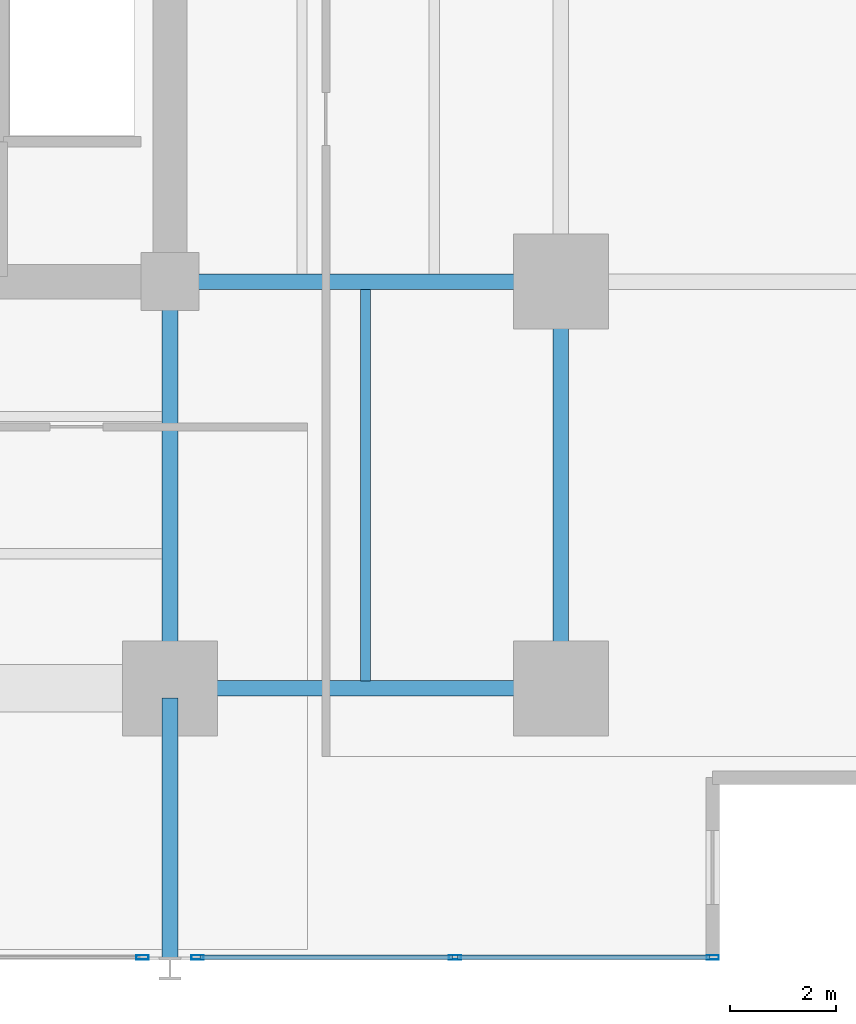
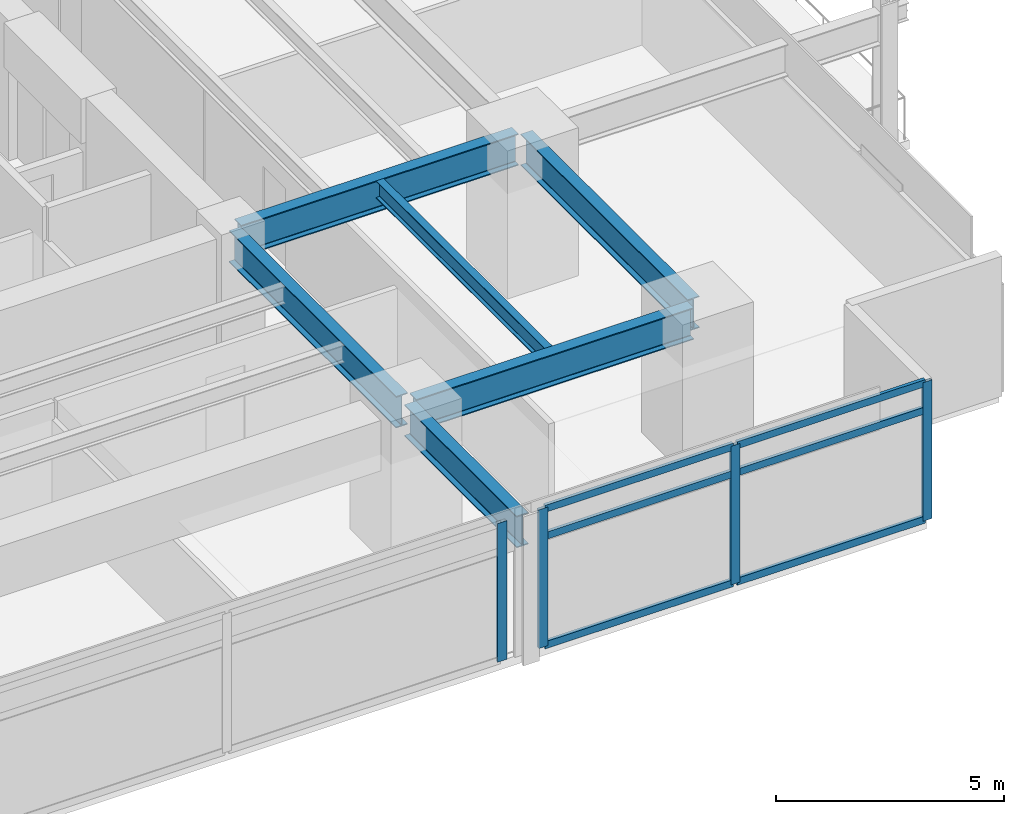
# One storey, part 5 of 20: 10 members, 6 beams, 2 elements without a shape of their own.
"""IFC4 building model written with IfcOpenShell, lengths in metres."""

from ifc_helpers import new_model, si_unit, direction, frame, origin, origin_2d, place, context, subcontext, project, spatial, hollow_rectangle, i_section, extrude, material, material_profile, profile_set, type_object, element, aggregate, save


model = new_model("IFC4")

# Units and contexts
model_context = context("Model", 3, precision=1e-05, world=origin(), true_north=direction((0.0, 1.0)))
body_context = subcontext(model_context, "Body", "Model", "MODEL_VIEW")
ifc_project = project(units=[si_unit("LENGTHUNIT", "METRE"), si_unit("AREAUNIT", "SQUARE_METRE"), si_unit("VOLUMEUNIT", "CUBIC_METRE"), si_unit("PLANEANGLEUNIT", "RADIAN"), si_unit("MASSUNIT", "GRAM", prefix="KILO")], contexts=[model_context])

# Site, building, storey
site_placement = place(None, origin())
site = spatial("IfcSite", under=ifc_project, at=site_placement, CompositionType="ELEMENT")
building_placement = place(site_placement, origin())
building = spatial("IfcBuilding", under=site, at=building_placement, Name="Kovane Verandah Tower", CompositionType="ELEMENT")
storey_placement = place(building_placement, frame((0.0, 0.0, 35.60009765625)))
storey = spatial("IfcBuildingStorey", under=building, at=storey_placement, Name="L07", CompositionType="ELEMENT", Elevation=35.60009765625)

# Beams
ifc_material_1 = material(Name="Steel S355", Category="steel")
ifc_material_profile_1 = material_profile(ifc_material_1, i_section(OverallWidth=0.293701171875, OverallDepth=0.850830078125, WebThickness=0.01611328125, FlangeThickness=0.02685546875, FilletRadius=0.017822265625, at=origin_2d()), Name="UB838x292x226")
ifc_profile_set_1 = profile_set([ifc_material_profile_1], Name="Steel S355")
beam_type_1 = type_object("IfcBeamType", Name="BM-UB838x226", PredefinedType="BEAM", material=ifc_profile_set_1)
beam_1_placement = place(storey_placement, frame((51.179931640625, 10.800048828125, 3.33447265625), z_axis=(1.0, 0.0, 0.0), x_axis=(0.0, 1.0, 0.0)))
element("IfcBeam", 1, at=beam_1_placement, inside=storey, type_object=beam_type_1, Name="L07 Primary Tower Girder G-RS3", PredefinedType="BEAM", context=body_context, shape_type="SweptSolid", body=[
    extrude(i_section(OverallWidth=0.293701171875, OverallDepth=0.850830078125, WebThickness=0.01611328125, FlangeThickness=0.02685546875, FilletRadius=0.017822265625, at=origin_2d()), origin(), (0.0, 0.0, 1.0), 7.0400390625),
])
beam_2_placement = place(storey_placement, frame((58.39990234375, 10.97998046875, 3.33447265625), z_axis=(0.0, 1.0, 0.0), x_axis=(-1.0, 0.0, 0.0)))
element("IfcBeam", 2, at=beam_2_placement, inside=storey, type_object=beam_type_1, Name="L07 Primary Tower Girder G-RE1", PredefinedType="BEAM", context=body_context, shape_type="SweptSolid", body=[
    extrude(i_section(OverallWidth=0.293701171875, OverallDepth=0.850830078125, WebThickness=0.01611328125, FlangeThickness=0.02685546875, FilletRadius=0.017822265625, at=origin_2d()), origin(), (0.0, 0.0, 1.0), 7.340087890625),
])
beam_3_placement = place(storey_placement, frame((51.179931640625, 18.5, 3.33447265625), z_axis=(1.0, 0.0, 0.0), x_axis=(0.0, 1.0, 0.0)))
element("IfcBeam", 3, at=beam_3_placement, inside=storey, type_object=beam_type_1, Name="L07 Primary Tower Girder G-E1", PredefinedType="BEAM", context=body_context, shape_type="SweptSolid", body=[
    extrude(i_section(OverallWidth=0.293701171875, OverallDepth=0.850830078125, WebThickness=0.01611328125, FlangeThickness=0.02685546875, FilletRadius=0.017822265625, at=origin_2d()), origin(), (0.0, 0.0, 1.0), 7.0400390625),
])
beam_4_placement = place(storey_placement, frame((51.0, 18.320068359375, 3.33447265625), z_axis=(0.0, -1.0, 0.0), x_axis=(1.0, 0.0, 0.0)))
element("IfcBeam", 4, at=beam_4_placement, inside=storey, type_object=beam_type_1, Name="L07 Primary Tower Girder G-S2", PredefinedType="BEAM", context=body_context, shape_type="SweptSolid", body=[
    extrude(i_section(OverallWidth=0.293701171875, OverallDepth=0.850830078125, WebThickness=0.01611328125, FlangeThickness=0.02685546875, FilletRadius=0.017822265625, at=origin_2d()), origin(), (0.0, 0.0, 1.0), 7.340087890625),
])
beam_5_placement = place(storey_placement, frame((51.0, 10.6201171875, 3.33447265625), z_axis=(0.0, -1.0, 0.0), x_axis=(1.0, 0.0, 0.0)))
element("IfcBeam", 5, at=beam_5_placement, inside=storey, type_object=beam_type_1, Name="L07 Primary Tower Girder G-VS2", PredefinedType="BEAM", context=body_context, shape_type="SweptSolid", body=[
    extrude(i_section(OverallWidth=0.293701171875, OverallDepth=0.850830078125, WebThickness=0.01611328125, FlangeThickness=0.02685546875, FilletRadius=0.017822265625, at=origin_2d()), origin(), (0.0, 0.0, 1.0), 4.940185546875),
])

# Curtain wall, member
ifc_material_2 = material(Name="Champagne Anodised Aluminium Frame with Low-E Clear Laminated Glass", Category="aluminium")
curtain_wall_type = type_object("IfcCurtainWallType", Name="CW-SYS-02-LOW", PredefinedType="NOTDEFINED", material=ifc_material_2)
curtain_wall_1_placement = place(storey_placement, origin())
curtain_wall_1 = element("IfcCurtainWall", 6, at=curtain_wall_1_placement, inside=storey, type_object=curtain_wall_type, Name="L07 S Unitised Curtain Wall-2", PredefinedType="NOTDEFINED")
ifc_material_3 = material(Name="Champagne Anodised Aluminium 6063-T6", Category="aluminium")
ifc_material_profile_2 = material_profile(ifc_material_3, hollow_rectangle(XDim=0.0849609375, YDim=0.22998046875, WallThickness=0.00390625, at=origin_2d()), Name="AL85x230x4")
ifc_profile_set_2 = profile_set([ifc_material_profile_2], Name="Champagne Anodised Aluminium 6063-T6")
member_type_1 = type_object("IfcMemberType", Name="CW-MUL-85x230", PredefinedType="MULLION", material=ifc_profile_set_2)
member_1_placement = place(storey_placement, frame((50.47998046875, 5.710693359375, 0.02001953125), z_axis=(0.0, 0.0, 1.0), x_axis=(0.0, -1.0, 0.0)))
member_1 = element("IfcMember", 7, at=member_1_placement, type_object=member_type_1, Name="L07 S Unitised Curtain Wall-2 Mullion 4", PredefinedType="MULLION", context=body_context, shape_type="SweptSolid", body=[
    extrude(hollow_rectangle(XDim=0.0849609375, YDim=0.22998046875, WallThickness=0.00390625, at=origin_2d()), origin(), (0.0, 0.0, 1.0), 3.719970703125),
])
aggregate(curtain_wall_1, [member_1])

# Curtain wall, members
curtain_wall_2_placement = place(storey_placement, origin())
curtain_wall_2 = element("IfcCurtainWall", 8, at=curtain_wall_2_placement, inside=storey, type_object=curtain_wall_type, Name="L07 S Unitised Curtain Wall-3", PredefinedType="NOTDEFINED")
member_2_placement = place(storey_placement, frame((51.52001953125, 5.710693359375, 0.02001953125), z_axis=(0.0, 0.0, 1.0), x_axis=(0.0, -1.0, 0.0)))
member_2 = element("IfcMember", 9, at=member_2_placement, type_object=member_type_1, Name="L07 S Unitised Curtain Wall-3 Mullion 1", PredefinedType="MULLION", context=body_context, shape_type="SweptSolid", body=[
    extrude(hollow_rectangle(XDim=0.0849609375, YDim=0.22998046875, WallThickness=0.00390625, at=origin_2d()), origin(), (0.0, 0.0, 1.0), 3.719970703125),
])
member_3_placement = place(storey_placement, frame((56.395263671875, 5.710693359375, 0.02001953125), z_axis=(0.0, 0.0, 1.0), x_axis=(0.0, -1.0, 0.0)))
member_3 = element("IfcMember", 10, at=member_3_placement, type_object=member_type_1, Name="L07 S Unitised Curtain Wall-3 Mullion 2", PredefinedType="MULLION", context=body_context, shape_type="SweptSolid", body=[
    extrude(hollow_rectangle(XDim=0.0849609375, YDim=0.22998046875, WallThickness=0.00390625, at=origin_2d()), origin(), (0.0, 0.0, 1.0), 3.719970703125),
])
member_4_placement = place(storey_placement, frame((61.2705078125, 5.710693359375, 0.02001953125), z_axis=(0.0, 0.0, 1.0), x_axis=(0.0, -1.0, 0.0)))
member_4 = element("IfcMember", 11, at=member_4_placement, type_object=member_type_1, Name="L07 S Unitised Curtain Wall-3 Mullion 3", PredefinedType="MULLION", context=body_context, shape_type="SweptSolid", body=[
    extrude(hollow_rectangle(XDim=0.0849609375, YDim=0.22998046875, WallThickness=0.00390625, at=origin_2d()), origin(), (0.0, 0.0, 1.0), 3.719970703125),
])
ifc_material_profile_3 = material_profile(ifc_material_3, hollow_rectangle(XDim=0.0849609375, YDim=0.18994140625, WallThickness=0.00390625, at=origin_2d()), Name="AL85x190x4")
ifc_profile_set_3 = profile_set([ifc_material_profile_3], Name="Champagne Anodised Aluminium 6063-T6")
member_type_2 = type_object("IfcMemberType", Name="CW-TRN-85x190", PredefinedType="USERDEFINED", material=ifc_profile_set_3)
member_5_placement = place(storey_placement, frame((51.570068359375, 5.710693359375, 0.0498046875), z_axis=(1.0, 0.0, 0.0), x_axis=(0.0, 1.0, 0.0)))
member_5 = element("IfcMember", 12, at=member_5_placement, type_object=member_type_2, Name="L07 S Unitised Curtain Wall-3 Transom TB Bay 1", ObjectType="TRANSOM", PredefinedType="USERDEFINED", context=body_context, shape_type="SweptSolid", body=[
    extrude(hollow_rectangle(XDim=0.0849609375, YDim=0.18994140625, WallThickness=0.00390625, at=origin_2d()), origin(), (0.0, 0.0, 1.0), 4.775146484375),
])
member_6_placement = place(storey_placement, frame((51.570068359375, 5.710693359375, 2.97998046875), z_axis=(1.0, 0.0, 0.0), x_axis=(0.0, 1.0, 0.0)))
member_6 = element("IfcMember", 13, at=member_6_placement, type_object=member_type_2, Name="L07 S Unitised Curtain Wall-3 Transom TM Bay 1", ObjectType="TRANSOM", PredefinedType="USERDEFINED", context=body_context, shape_type="SweptSolid", body=[
    extrude(hollow_rectangle(XDim=0.0849609375, YDim=0.18994140625, WallThickness=0.00390625, at=origin_2d()), origin(), (0.0, 0.0, 1.0), 4.775146484375),
])
member_7_placement = place(storey_placement, frame((51.570068359375, 5.710693359375, 3.7099609375), z_axis=(1.0, 0.0, 0.0), x_axis=(0.0, 1.0, 0.0)))
member_7 = element("IfcMember", 14, at=member_7_placement, type_object=member_type_2, Name="L07 S Unitised Curtain Wall-3 Transom TT Bay 1", ObjectType="TRANSOM", PredefinedType="USERDEFINED", context=body_context, shape_type="SweptSolid", body=[
    extrude(hollow_rectangle(XDim=0.0849609375, YDim=0.18994140625, WallThickness=0.00390625, at=origin_2d()), origin(), (0.0, 0.0, 1.0), 4.775146484375),
])
member_8_placement = place(storey_placement, frame((56.4453125, 5.710693359375, 0.0498046875), z_axis=(1.0, 0.0, 0.0), x_axis=(0.0, 1.0, 0.0)))
member_8 = element("IfcMember", 15, at=member_8_placement, type_object=member_type_2, Name="L07 S Unitised Curtain Wall-3 Transom TB Bay 2", ObjectType="TRANSOM", PredefinedType="USERDEFINED", context=body_context, shape_type="SweptSolid", body=[
    extrude(hollow_rectangle(XDim=0.0849609375, YDim=0.18994140625, WallThickness=0.00390625, at=origin_2d()), origin(), (0.0, 0.0, 1.0), 4.775146484375),
])
member_9_placement = place(storey_placement, frame((56.4453125, 5.710693359375, 2.97998046875), z_axis=(1.0, 0.0, 0.0), x_axis=(0.0, 1.0, 0.0)))
member_9 = element("IfcMember", 16, at=member_9_placement, type_object=member_type_2, Name="L07 S Unitised Curtain Wall-3 Transom TM Bay 2", ObjectType="TRANSOM", PredefinedType="USERDEFINED", context=body_context, shape_type="SweptSolid", body=[
    extrude(hollow_rectangle(XDim=0.0849609375, YDim=0.18994140625, WallThickness=0.00390625, at=origin_2d()), origin(), (0.0, 0.0, 1.0), 4.775146484375),
])
member_10_placement = place(storey_placement, frame((56.4453125, 5.710693359375, 3.7099609375), z_axis=(1.0, 0.0, 0.0), x_axis=(0.0, 1.0, 0.0)))
member_10 = element("IfcMember", 17, at=member_10_placement, type_object=member_type_2, Name="L07 S Unitised Curtain Wall-3 Transom TT Bay 2", ObjectType="TRANSOM", PredefinedType="USERDEFINED", context=body_context, shape_type="SweptSolid", body=[
    extrude(hollow_rectangle(XDim=0.0849609375, YDim=0.18994140625, WallThickness=0.00390625, at=origin_2d()), origin(), (0.0, 0.0, 1.0), 4.775146484375),
])
aggregate(curtain_wall_2, [member_2, member_3, member_4, member_5, member_6, member_7, member_8, member_9, member_10])

# Beam
ifc_material_profile_4 = material_profile(ifc_material_1, i_section(OverallWidth=0.19287109375, OverallDepth=0.46728515625, WebThickness=0.011474609375, FlangeThickness=0.01953125, FilletRadius=0.01025390625, at=origin_2d()), Name="UB457x191x98")
ifc_profile_set_4 = profile_set([ifc_material_profile_4], Name="Steel S355")
beam_type_2 = type_object("IfcBeamType", Name="JST-UB457x98", PredefinedType="JOIST", material=ifc_profile_set_4)
beam_6_placement = place(storey_placement, frame((54.699951171875, 10.94482421875, 3.5263671875), z_axis=(0.0, 1.0, 0.0), x_axis=(-1.0, 0.0, 0.0)))
element("IfcBeam", 18, at=beam_6_placement, inside=storey, type_object=beam_type_2, Name="L07 Secondary Composite Joist J-SE1", PredefinedType="JOIST", context=body_context, shape_type="SweptSolid", body=[
    extrude(i_section(OverallWidth=0.19287109375, OverallDepth=0.46728515625, WebThickness=0.011474609375, FlangeThickness=0.01953125, FilletRadius=0.01025390625, at=origin_2d()), origin(), (0.0, 0.0, 1.0), 7.41015625),
])

save(model, "model.ifc")
